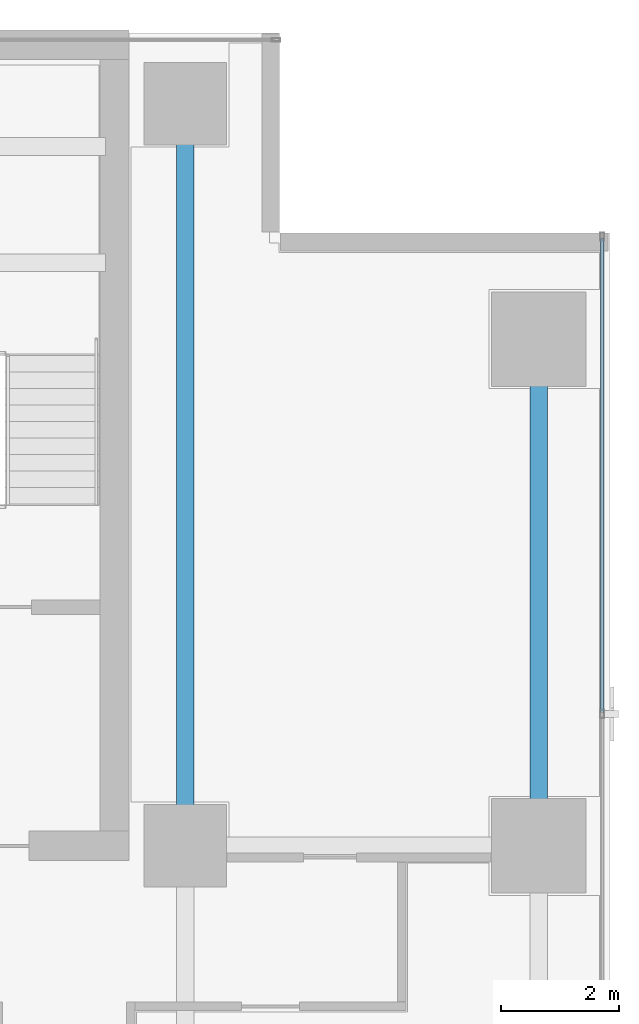
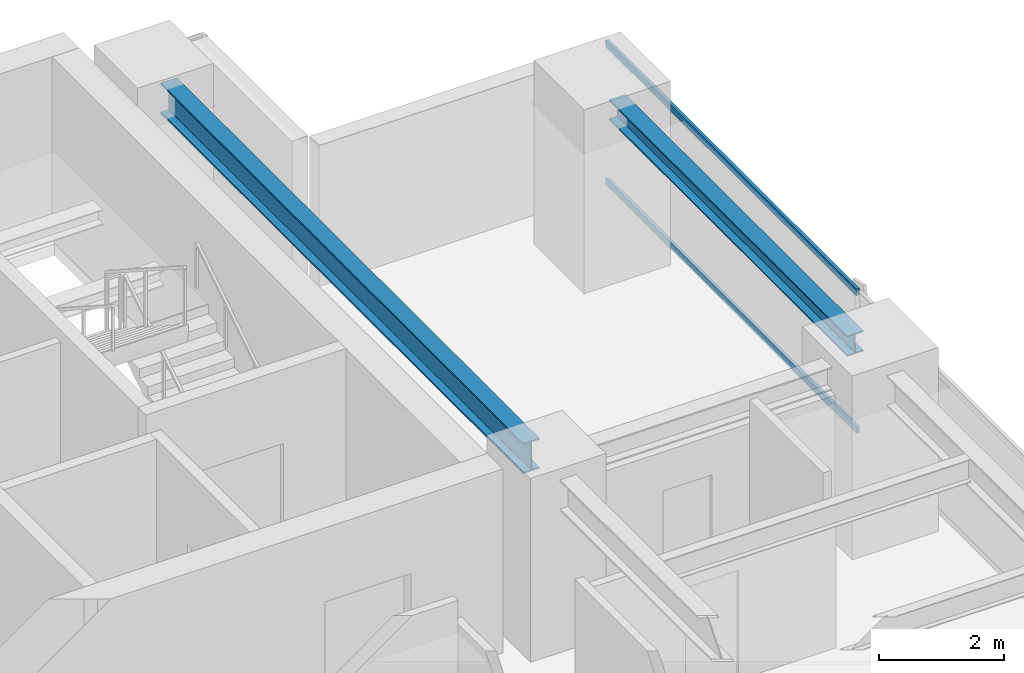
# One storey, part 18 of 29: 2 beams, 2 members, 1 element without a shape of its own.
"""IFC4 building model written with IfcOpenShell, lengths in metres."""

from ifc_helpers import new_model, si_unit, direction, frame, origin, origin_2d, place, context, subcontext, project, spatial, hollow_rectangle, i_section, extrude, source, transform, mapped, material, layer, layer_set, material_profile, profile_set, type_object, element, aggregate, save


model = new_model("IFC4")

# Units and contexts
model_context = context("Model", 3, precision=1e-05, world=origin(), true_north=direction((0.0, 1.0)))
body_context = subcontext(model_context, "Body", "Model", "MODEL_VIEW")
ifc_project = project(units=[si_unit("LENGTHUNIT", "METRE"), si_unit("AREAUNIT", "SQUARE_METRE"), si_unit("VOLUMEUNIT", "CUBIC_METRE"), si_unit("PLANEANGLEUNIT", "RADIAN"), si_unit("MASSUNIT", "GRAM", prefix="KILO")], contexts=[model_context])

# Site, building, storey
site_placement = place(None, origin())
site = spatial("IfcSite", under=ifc_project, at=site_placement, CompositionType="ELEMENT")
building_placement = place(site_placement, origin())
building = spatial("IfcBuilding", under=site, at=building_placement, Name="Sumidabori Civic Tower", CompositionType="ELEMENT")
storey_placement = place(building_placement, frame((0.0, 0.0, 207.199951171875)))
storey = spatial("IfcBuildingStorey", under=building, at=storey_placement, Name="L53", CompositionType="ELEMENT", Elevation=207.199951171875)

# Beams
ifc_material_1 = material(Name="Steel SN490", Category="steel")
ifc_material_profile_1 = material_profile(ifc_material_1, i_section(OverallWidth=0.300048828125, OverallDepth=0.39990234375, WebThickness=0.013427734375, FlangeThickness=0.02392578125, at=origin_2d()), Name="HE 400 B")
ifc_profile_set_1 = profile_set([ifc_material_profile_1], Name="Steel SN490")
beam_type_1 = type_object("IfcBeamType", Name="BM-GIRD-400", PredefinedType="BEAM", material=ifc_profile_set_1)
shared_shape_1 = source(origin(), body_context, "Body", "SweptSolid", [
    extrude(i_section(OverallWidth=0.300048828125, OverallDepth=0.39990234375, WebThickness=0.013427734375, FlangeThickness=0.02392578125, at=origin_2d()), origin(), (0.0, 0.0, 1.0), 7.64013671875),
])
beam_1_placement = place(storey_placement, frame((22.800048828125, 10.679931640625, 3.179931640625), z_axis=(0.0, 1.0, 0.0), x_axis=(-1.0, 0.0, 0.0)))
element("IfcBeam", 1, at=beam_1_placement, inside=storey, type_object=beam_type_1, Name="Primary Girder L53 GY-24", PredefinedType="BEAM", context=body_context, shape_type="MappedRepresentation", body=[
    mapped(shared_shape_1, transform((0.0, 0.0, 0.0), x_axis=(1.0, 0.0, 0.0), y_axis=(0.0, 1.0, 0.0), z_axis=(0.0, 0.0, 1.0), scale=1.0)),
])
ifc_material_profile_2 = material_profile(ifc_material_1, i_section(OverallWidth=0.300048828125, OverallDepth=0.60009765625, WebThickness=0.015380859375, FlangeThickness=0.030029296875, at=origin_2d()), Name="HE 600 B")
ifc_profile_set_2 = profile_set([ifc_material_profile_2], Name="Steel SN490")
beam_type_2 = type_object("IfcBeamType", Name="BM-GIRD-600", PredefinedType="BEAM", material=ifc_profile_set_2)
shared_shape_2 = source(origin(), body_context, "Body", "SweptSolid", [
    extrude(i_section(OverallWidth=0.300048828125, OverallDepth=0.60009765625, WebThickness=0.015380859375, FlangeThickness=0.030029296875, at=origin_2d()), origin(), (0.0, 0.0, 1.0), 11.64013671875),
])
beam_2_placement = place(storey_placement, frame((16.800048828125, 10.679931640625, 3.080078125), z_axis=(0.0, 1.0, 0.0), x_axis=(-1.0, 0.0, 0.0)))
element("IfcBeam", 2, at=beam_2_placement, inside=storey, type_object=beam_type_2, Name="Primary Girder L53 GY-21", PredefinedType="BEAM", context=body_context, shape_type="MappedRepresentation", body=[
    mapped(shared_shape_2, transform((0.0, 0.0, 0.0), x_axis=(1.0, 0.0, 0.0), y_axis=(0.0, 1.0, 0.0), z_axis=(0.0, 0.0, 1.0), scale=1.0)),
])

# Curtain wall, members
ifc_material_2 = material(Name="Anodised Bronze Aluminium AW-6063-T6", Category="aluminium")
ifc_layer = layer(ifc_material_2, 0.179931640625, Name="Anodised Bronze Aluminium AW-6063-T6")
ifc_layer_set = layer_set([ifc_layer], Name="Anodised Bronze Aluminium AW-6063-T6")
curtain_wall_type = type_object("IfcCurtainWallType", Name="CW-SYS-5", PredefinedType="NOTDEFINED", material=ifc_layer_set)
curtain_wall_placement = place(storey_placement, origin())
curtain_wall = element("IfcCurtainWall", 3, at=curtain_wall_placement, inside=storey, type_object=curtain_wall_type, Name="Curtain Wall CW:L53:R10", PredefinedType="NOTDEFINED")
ifc_material_profile_3 = material_profile(ifc_material_2, hollow_rectangle(XDim=0.06005859375, YDim=0.1298828125, WallThickness=0.0048828125, at=origin_2d()), Name="ALU TRANSOM 130x60")
ifc_profile_set_3 = profile_set([ifc_material_profile_3], Name="Anodised Bronze Aluminium AW-6063-T6")
member_type = type_object("IfcMemberType", Name="CW-TRN-130", PredefinedType="USERDEFINED", material=ifc_profile_set_3)
shared_shape_3 = source(origin(), body_context, "Body", "SweptSolid", [
    extrude(hollow_rectangle(XDim=0.06005859375, YDim=0.1298828125, WallThickness=0.0048828125, at=origin_2d()), origin(), (0.0, 0.0, 1.0), 8.044921875),
])
member_1_placement = place(storey_placement, frame((23.8798828125, 12.465087890625, 0.030029296875), z_axis=(0.0, 1.0, 0.0), x_axis=(-1.0, 0.0, 0.0)))
member_1 = element("IfcMember", 4, at=member_1_placement, type_object=member_type, Name="CW-5 transom 4.1", ObjectType="TRANSOM", PredefinedType="USERDEFINED", context=body_context, shape_type="MappedRepresentation", body=[
    mapped(shared_shape_3, transform((0.0, 0.0, 0.0), x_axis=(1.0, 0.0, 0.0), y_axis=(0.0, 1.0, 0.0), z_axis=(0.0, 0.0, 1.0), scale=1.0)),
])
member_2_placement = place(storey_placement, frame((23.8798828125, 12.465087890625, 2.72998046875), z_axis=(0.0, 1.0, 0.0), x_axis=(-1.0, 0.0, 0.0)))
member_2 = element("IfcMember", 5, at=member_2_placement, type_object=member_type, Name="CW-5 transom 4.2", ObjectType="TRANSOM", PredefinedType="USERDEFINED", context=body_context, shape_type="MappedRepresentation", body=[
    mapped(shared_shape_3, transform((0.0, 0.0, 0.0), x_axis=(1.0, 0.0, 0.0), y_axis=(0.0, 1.0, 0.0), z_axis=(0.0, 0.0, 1.0), scale=1.0)),
])
aggregate(curtain_wall, [member_1, member_2])

save(model, "model.ifc")
